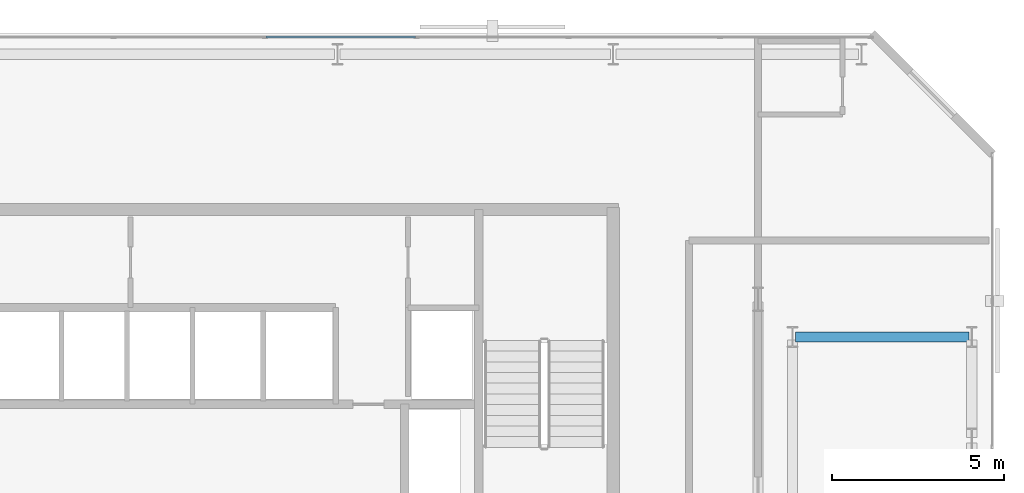
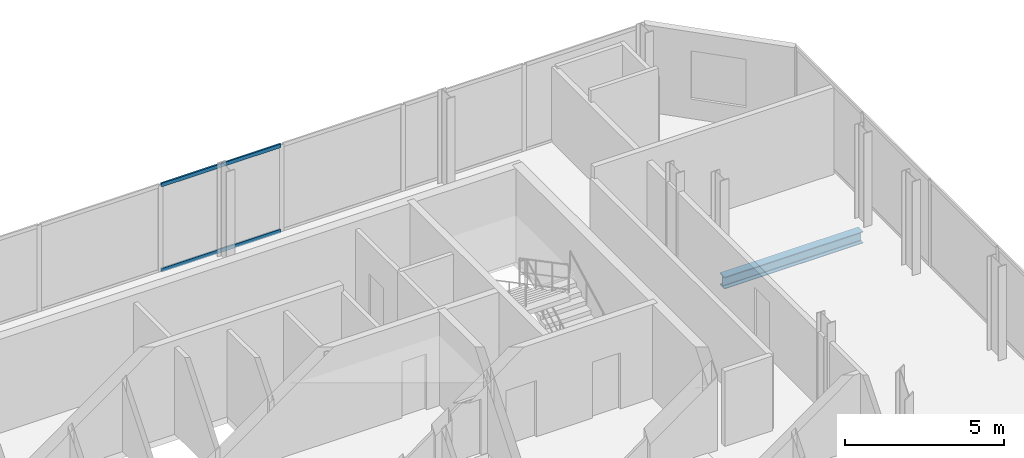
# One storey, part 23 of 32: 2 members, 1 beam, 1 element without a shape of its own.
"""IFC4 building model written with IfcOpenShell, lengths in metres."""

import ifcopenshell
import ifcopenshell.guid

model = None  # the IFC model being written
_history = None  # IfcOwnerHistory: only IFC2X3 demands one
_inside = {}  # id of a spatial element -> (the spatial element, [elements in it])
_under = {}  # id of a project, library or spatial element -> (it, [spatial elements below it])
_declared = {}  # id of a project -> (the project, [libraries it declares])
_typed = {}  # id of a type object -> (the type object, [elements of that type])
_made_of = {}  # id of a material, layer set ... -> (it, [elements and type objects made of it])


def new_model(schema):
    """Start an empty IFC model of exactly this schema.

    Asked for "IFC4X3", IfcOpenShell would pick the latest addendum, in which some entities
    have other attributes; the version numbers below select the first issue.
    IFC2X3 requires an IfcOwnerHistory on every rooted entity: one is made here for all.
    """
    global model, _history
    if schema == "IFC4X3":
        model = ifcopenshell.file(schema_version=(4, 3, 0, 0))
    else:
        model = ifcopenshell.file(schema=schema)
    _inside.clear()
    _under.clear()
    _declared.clear()
    _typed.clear()
    _made_of.clear()
    _history = None
    if model.schema == "IFC2X3":
        org = make("IfcOrganization", Name="unknown")
        user = make(
            "IfcPersonAndOrganization",
            ThePerson=make("IfcPerson", FamilyName="unknown"),
            TheOrganization=org,
        )
        app = make(
            "IfcApplication",
            ApplicationDeveloper=org,
            Version="unknown",
            ApplicationFullName="unknown",
            ApplicationIdentifier="unknown",
        )
        _history = make(
            "IfcOwnerHistory",
            OwningUser=user,
            OwningApplication=app,
            ChangeAction="ADDED",
            CreationDate=0,
        )
    return model


def make(cls, **values):
    """One entity of the class cls with the attributes given. An attribute that is None is left unset."""
    return model.create_entity(
        cls, **{name: value for name, value in values.items() if value is not None}
    )


def rooted(cls, **values):
    """An entity with a GlobalId (a new one), such as an element, a storey or a relation."""
    return make(cls, GlobalId=ifcopenshell.guid.new(), OwnerHistory=_history, **values)


def si_unit(unit_type, name, prefix=None):
    """IfcSIUnit, for example si_unit("LENGTHUNIT", "METRE", prefix="MILLI")."""
    return make("IfcSIUnit", UnitType=unit_type, Prefix=prefix, Name=name)


def assignment(units):
    """IfcUnitAssignment: the units of a project."""
    return None if units is None else make("IfcUnitAssignment", Units=units)


def point(xyz):
    """IfcCartesianPoint."""
    return None if xyz is None else make("IfcCartesianPoint", Coordinates=xyz)


def direction(xyz):
    """IfcDirection."""
    return None if xyz is None else make("IfcDirection", DirectionRatios=xyz)


def frame(location, z_axis=None, x_axis=None):
    """IfcAxis2Placement3D, a coordinate frame: its origin and axes. An axis left out is left unset."""
    return make(
        "IfcAxis2Placement3D",
        Location=point(location),
        Axis=direction(z_axis),
        RefDirection=direction(x_axis),
    )


def frame_2d(location, x_axis=None):
    """IfcAxis2Placement2D, a coordinate frame in the plane: its origin and x axis."""
    return make(
        "IfcAxis2Placement2D", Location=point(location), RefDirection=direction(x_axis)
    )


def origin():
    """The frame at (0, 0, 0) with its axes left unset."""
    return frame((0.0, 0.0, 0.0))


def origin_2d():
    """The frame at (0, 0) in the plane with its x axis left unset."""
    return frame_2d((0.0, 0.0))


def place(relative_to, where):
    """IfcLocalPlacement: puts the frame where relative to a parent placement (None: the world)."""
    return make(
        "IfcLocalPlacement", PlacementRelTo=relative_to, RelativePlacement=where
    )


def context(
    kind, dimensions, precision=None, world=None, true_north=None, identifier=None
):
    """IfcGeometricRepresentationContext, for example the 3D "Model" context."""
    return make(
        "IfcGeometricRepresentationContext",
        ContextIdentifier=identifier,
        ContextType=kind,
        CoordinateSpaceDimension=dimensions,
        Precision=precision,
        WorldCoordinateSystem=world,
        TrueNorth=true_north,
    )


def subcontext(parent, identifier, kind, view, scale=None):
    """IfcGeometricRepresentationSubContext, for example "Body" below "Model"."""
    return make(
        "IfcGeometricRepresentationSubContext",
        ContextIdentifier=identifier,
        ContextType=kind,
        ParentContext=parent,
        TargetScale=scale,
        TargetView=view,
    )


def project(units=None, contexts=None):
    """IfcProject with its units and contexts."""
    return rooted(
        "IfcProject",
        Name="project",
        RepresentationContexts=contexts,
        UnitsInContext=assignment(units),
    )


def spatial(cls, under=None, at=None, **own):
    """A site, building, storey or space (cls), placed at a placement, below another one or the project."""
    s = rooted(cls, ObjectPlacement=at, **own)
    if under is not None:
        _under.setdefault(under.id(), (under, []))[1].append(s)
    return s


def profile(cls, at=None, kind="AREA", **sizes):
    """A parametric profile (cls). Its sizes go by their IFC names, for example OverallWidth=200.0."""
    return make(cls, ProfileType=kind, Position=at, **sizes)


def hollow_rectangle(**sizes):
    """IfcRectangleHollowProfileDef."""
    return profile("IfcRectangleHollowProfileDef", **sizes)


def i_section(**sizes):
    """IfcIShapeProfileDef."""
    return profile("IfcIShapeProfileDef", **sizes)


def extrude(swept, where, along, depth):
    """IfcExtrudedAreaSolid: the profile swept, set in the frame where, extruded along a direction by depth."""
    return make(
        "IfcExtrudedAreaSolid",
        SweptArea=swept,
        Position=where,
        ExtrudedDirection=direction(along),
        Depth=depth,
    )


def shape(context_of_items, identifier, shape_type, items):
    """IfcShapeRepresentation: the items that make up one representation, for example the "Body"."""
    return make(
        "IfcShapeRepresentation",
        ContextOfItems=context_of_items,
        RepresentationIdentifier=identifier,
        RepresentationType=shape_type,
        Items=items,
    )


def material(Name=None, Category=None):
    """IfcMaterial."""
    return make("IfcMaterial", Name=Name, Category=Category)


def layer(
    of_material, thickness, ventilated=None, Name=None, Category=None, Priority=None
):
    """IfcMaterialLayer: one layer of a wall or slab, of a material (None: an air gap)."""
    return make(
        "IfcMaterialLayer",
        Material=of_material,
        LayerThickness=thickness,
        IsVentilated=ventilated,
        Name=Name,
        Category=Category,
        Priority=Priority,
    )


def layer_set(layers, Name=None):
    """IfcMaterialLayerSet."""
    return make("IfcMaterialLayerSet", MaterialLayers=layers, LayerSetName=Name)


def material_profile(
    of_material, cross_section, Name=None, Category=None, Priority=None
):
    """IfcMaterialProfile: a cross section and its material."""
    return make(
        "IfcMaterialProfile",
        Name=Name,
        Material=of_material,
        Profile=cross_section,
        Priority=Priority,
        Category=Category,
    )


def profile_set(profiles, Name=None, composite=None):
    """IfcMaterialProfileSet."""
    return make(
        "IfcMaterialProfileSet",
        Name=Name,
        MaterialProfiles=profiles,
        CompositeProfile=composite,
    )


def made_of(thing, what):
    """Note that an element or type object is made of a material, layer set ...; save() writes the relation."""
    if what is not None:
        _made_of.setdefault(what.id(), (what, []))[1].append(thing)
    return thing


def type_object(cls, material=None, **own):
    """A type object (cls), such as IfcWallType, which elements share."""
    return made_of(rooted(cls, **own), material)


def element(
    cls,
    number,
    at=None,
    inside=None,
    cuts=None,
    type_object=None,
    material=None,
    context=None,
    identifier="Body",
    shape_type=None,
    held_by="IfcProductDefinitionShape",
    body=None,
    shapes=None,
    **own,
):
    """One element of the class cls, such as IfcWall. Its Tag is "e" and its number.

    at: its placement. inside: the storey or other place that contains it. cuts: it is an
    opening in that element (IfcRelVoidsElement). A single representation is given by context,
    identifier, shape_type and body (its items); several are given by shapes. held_by: the class
    of the entity that holds the representations. save() writes the other relations.
    """
    e = rooted(cls, Tag="e%d" % number, ObjectPlacement=at, **own)
    if body is not None:
        shapes = [shape(context, identifier, shape_type, body)]
    if shapes is not None:
        e.Representation = make(held_by, Representations=shapes)
    if inside is not None:
        _inside.setdefault(inside.id(), (inside, []))[1].append(e)
    if cuts is not None:
        rooted(
            "IfcRelVoidsElement", RelatingBuildingElement=cuts, RelatedOpeningElement=e
        )
    if type_object is not None:
        _typed.setdefault(type_object.id(), (type_object, []))[1].append(e)
    return made_of(e, material)


def aggregate(whole, parts):
    """IfcRelAggregates: a whole, such as a stair, and the parts it consists of."""
    return rooted("IfcRelAggregates", RelatingObject=whole, RelatedObjects=parts)


def save(model, path):
    """Write the relations noted so far, then the file.

    IfcRelAggregates (storeys below a building ...), IfcRelContainedInSpatialStructure (elements
    in a storey), IfcRelDefinesByType, IfcRelAssociatesMaterial and IfcRelDeclares: one each for
    every whole, place, type object, material and project.
    """
    for whole, parts in _under.values():
        aggregate(whole, parts)
    for where, things in _inside.values():
        rooted(
            "IfcRelContainedInSpatialStructure",
            RelatedElements=things,
            RelatingStructure=where,
        )
    for kind, things in _typed.values():
        rooted("IfcRelDefinesByType", RelatedObjects=things, RelatingType=kind)
    for what, things in _made_of.values():
        rooted("IfcRelAssociatesMaterial", RelatedObjects=things, RelatingMaterial=what)
    for by, libraries in _declared.values():
        rooted("IfcRelDeclares", RelatingContext=by, RelatedDefinitions=libraries)
    model.write(path)


model = new_model("IFC4")

# Units and contexts
model_context = context("Model", 3, precision=1e-05, world=origin(), true_north=direction((0.0, 1.0)))
body_context = subcontext(model_context, "Body", "Model", "MODEL_VIEW")
ifc_project = project(units=[si_unit("LENGTHUNIT", "METRE"), si_unit("AREAUNIT", "SQUARE_METRE"), si_unit("VOLUMEUNIT", "CUBIC_METRE"), si_unit("PLANEANGLEUNIT", "RADIAN"), si_unit("MASSUNIT", "GRAM", prefix="KILO")], contexts=[model_context])

# Site, building, storey
site_placement = place(None, origin())
site = spatial("IfcSite", under=ifc_project, at=site_placement, CompositionType="ELEMENT")
building_placement = place(site_placement, origin())
building = spatial("IfcBuilding", under=site, at=building_placement, Name="Catumbela Crestline Tower", CompositionType="ELEMENT")
storey_placement = place(building_placement, frame((0.0, 0.0, 129.6)))
storey = spatial("IfcBuildingStorey", under=building, at=storey_placement, Name="L33", CompositionType="ELEMENT", Elevation=129.6)

# Beam
ifc_material_1 = material(Name="Structural steel S355J2", Category="steel")
ifc_material_profile_1 = material_profile(ifc_material_1, i_section(OverallWidth=0.3, OverallDepth=0.45, WebThickness=0.014, FlangeThickness=0.026, FilletRadius=0.027, at=origin_2d()), Name="HEB 450")
ifc_profile_set_1 = profile_set([ifc_material_profile_1], Name="Structural steel S355J2")
beam_type = type_object("IfcBeamType", Name="BG-HEB450", PredefinedType="BEAM", material=ifc_profile_set_1)
beam_placement = place(storey_placement, frame((45.28, 39.2, -0.485), z_axis=(1.0, 0.0, 0.0), x_axis=(0.0, 1.0, 0.0)))
element("IfcBeam", 1, at=beam_placement, inside=storey, type_object=beam_type, Name="L33 Beam BM-L33-N16", PredefinedType="BEAM", context=body_context, shape_type="SweptSolid", body=[
    extrude(i_section(OverallWidth=0.3, OverallDepth=0.45, WebThickness=0.014, FlangeThickness=0.026, FilletRadius=0.027, at=origin_2d()), origin(), (0.0, 0.0, 1.0), 5.04),
])

# Curtain wall, members
ifc_material_2 = material(Name="Aluminium alloy AW-6060-T66", Category="aluminium")
ifc_layer = layer(ifc_material_2, 0.18, Name="Aluminium alloy AW-6060-T66")
ifc_layer_set = layer_set([ifc_layer], Name="Aluminium alloy AW-6060-T66")
curtain_wall_type = type_object("IfcCurtainWallType", Name="CWU-Z2", PredefinedType="USERDEFINED", material=ifc_layer_set)
curtain_wall_placement = place(storey_placement, origin())
curtain_wall = element("IfcCurtainWall", 2, at=curtain_wall_placement, inside=storey, type_object=curtain_wall_type, Name="L33 Unitised Curtain Wall CW-L33-E7S1", ObjectType="UNITISED", PredefinedType="USERDEFINED")
ifc_material_profile_2 = material_profile(ifc_material_2, hollow_rectangle(XDim=0.06, YDim=0.14, WallThickness=0.004, at=origin_2d()), Name="ALU 140x60x4")
ifc_profile_set_2 = profile_set([ifc_material_profile_2], Name="Aluminium alloy AW-6060-T66")
member_type = type_object("IfcMemberType", Name="TRN-140X60", PredefinedType="USERDEFINED", material=ifc_profile_set_2)
member_1_placement = place(storey_placement, frame((34.2675, 47.9, 0.03), z_axis=(-1.0, 0.0, 0.0), x_axis=(0.0, -1.0, 0.0)))
member_1 = element("IfcMember", 3, at=member_1_placement, type_object=member_type, Name="CWU-Z2 transom 4.1", ObjectType="TRANSOM", PredefinedType="USERDEFINED", context=body_context, shape_type="SweptSolid", body=[
    extrude(hollow_rectangle(XDim=0.06, YDim=0.14, WallThickness=0.004, at=origin_2d()), origin(), (0.0, 0.0, 1.0), 4.335),
])
member_2_placement = place(storey_placement, frame((34.2675, 47.9, 3.3), z_axis=(-1.0, 0.0, 0.0), x_axis=(0.0, -1.0, 0.0)))
member_2 = element("IfcMember", 4, at=member_2_placement, type_object=member_type, Name="CWU-Z2 transom 4.2", ObjectType="TRANSOM", PredefinedType="USERDEFINED", context=body_context, shape_type="SweptSolid", body=[
    extrude(hollow_rectangle(XDim=0.06, YDim=0.14, WallThickness=0.004, at=origin_2d()), origin(), (0.0, 0.0, 1.0), 4.335),
])
aggregate(curtain_wall, [member_1, member_2])

save(model, "model.ifc")
